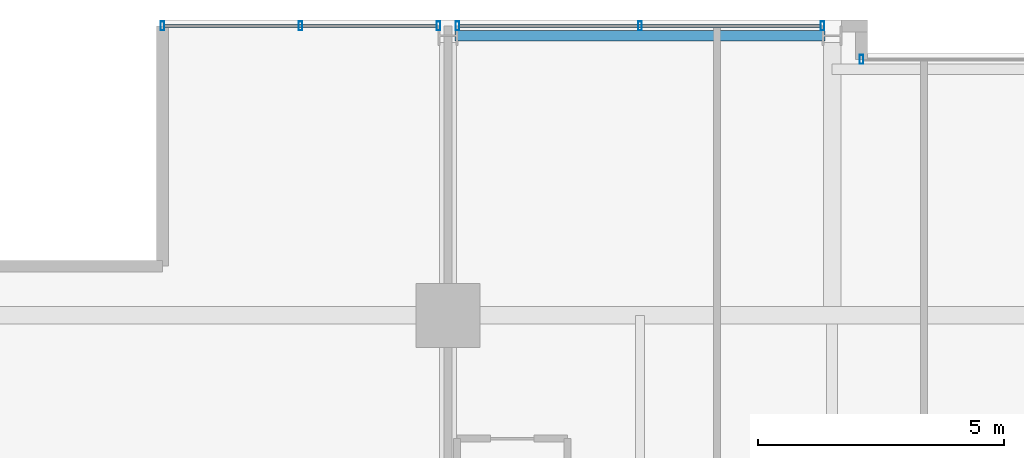
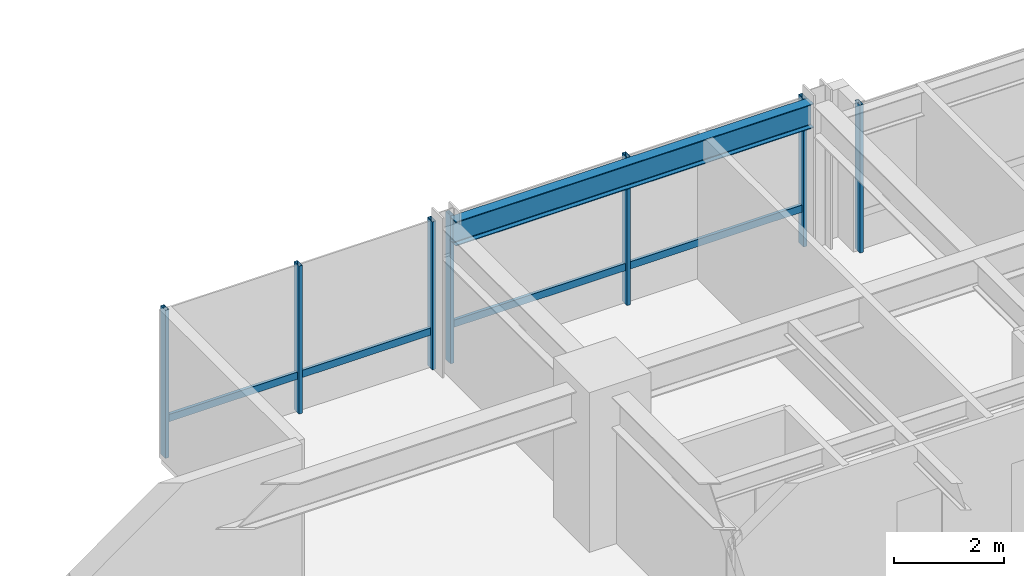
# One storey, part 19 of 32: 9 members, 1 beam, 3 elements without a shape of their own.
"""IFC4 building model written with IfcOpenShell, lengths in metres."""

from ifc_helpers import new_model, si_unit, direction, frame, origin, origin_2d, place, context, subcontext, project, spatial, hollow_rectangle, i_section, extrude, material, layer, layer_set, material_profile, profile_set, type_object, element, aggregate, save


model = new_model("IFC4")

# Units and contexts
model_context = context("Model", 3, precision=1e-05, world=origin(), true_north=direction((0.0, 1.0)))
body_context = subcontext(model_context, "Body", "Model", "MODEL_VIEW")
ifc_project = project(units=[si_unit("LENGTHUNIT", "METRE"), si_unit("AREAUNIT", "SQUARE_METRE"), si_unit("VOLUMEUNIT", "CUBIC_METRE"), si_unit("PLANEANGLEUNIT", "RADIAN"), si_unit("MASSUNIT", "GRAM", prefix="KILO")], contexts=[model_context])

# Site, building, storey
site_placement = place(None, origin())
site = spatial("IfcSite", under=ifc_project, at=site_placement, CompositionType="ELEMENT")
building_placement = place(site_placement, origin())
building = spatial("IfcBuilding", under=site, at=building_placement, Name="Drelvath Grand Hotel", CompositionType="ELEMENT")
storey_placement = place(building_placement, frame((0.0, 0.0, 182.35009765625)))
storey = spatial("IfcBuildingStorey", under=building, at=storey_placement, Name="L47", CompositionType="ELEMENT", Elevation=182.35009765625)

# Curtain wall, member
ifc_material_1 = material(Name="Brushed Pale-Silver Anodised Aluminium Frame", Category="aluminium")
ifc_layer = layer(ifc_material_1, 0.199951171875)
ifc_layer_set = layer_set([ifc_layer], Name="Brushed Pale-Silver Anodised Aluminium Frame")
curtain_wall_type = type_object("IfcCurtainWallType", Name="Stick Curtain Wall CW-04 Brushed Silver Upper-Mid", PredefinedType="NOTDEFINED", material=ifc_layer_set)
curtain_wall_1_placement = place(storey_placement, origin())
curtain_wall_1 = element("IfcCurtainWall", 1, at=curtain_wall_1_placement, inside=storey, type_object=curtain_wall_type, Name="L47 CW-04 Curtain Wall CW04-L47-NW1", PredefinedType="NOTDEFINED")
ifc_material_profile_1 = material_profile(ifc_material_1, hollow_rectangle(XDim=0.06494140625, YDim=0.159912109375, WallThickness=0.00390625, at=origin_2d()), Name="HSS160X65X4")
ifc_profile_set_1 = profile_set([ifc_material_profile_1], Name="Brushed Pale-Silver Anodised Aluminium Frame")
member_type_1 = type_object("IfcMemberType", Name="Curtain Wall Horizontal Transom CW-04 HSS160X65X4", PredefinedType="USERDEFINED", material=ifc_profile_set_1)
member_1_placement = place(storey_placement, frame((-21.9599609375, 49.080078125, 0.822509765625), z_axis=(1.0, 0.0, 0.0), x_axis=(0.0, 1.0, 0.0)))
member_1 = element("IfcMember", 2, at=member_1_placement, type_object=member_type_1, Name="CW04-L47-NW1 Sill Transom", ObjectType="TRANSOM", PredefinedType="USERDEFINED", context=body_context, shape_type="SweptSolid", body=[
    extrude(hollow_rectangle(XDim=0.06494140625, YDim=0.159912109375, WallThickness=0.00390625, at=origin_2d()), origin(), (0.0, 0.0, 1.0), 5.5283203125),
])

curtain_wall_2_placement = place(storey_placement, origin())
curtain_wall_2 = element("IfcCurtainWall", 3, at=curtain_wall_2_placement, inside=storey, type_object=curtain_wall_type, Name="L47 CW-04 Curtain Wall CW04-L47-NW2", PredefinedType="NOTDEFINED")
member_2_placement = place(storey_placement, frame((-15.968505859375, 49.080078125, 0.822509765625), z_axis=(1.0, 0.0, 0.0), x_axis=(0.0, 1.0, 0.0)))
member_2 = element("IfcMember", 4, at=member_2_placement, type_object=member_type_1, Name="CW04-L47-NW2 Sill Transom", ObjectType="TRANSOM", PredefinedType="USERDEFINED", context=body_context, shape_type="SweptSolid", body=[
    extrude(hollow_rectangle(XDim=0.06494140625, YDim=0.159912109375, WallThickness=0.00390625, at=origin_2d()), origin(), (0.0, 0.0, 1.0), 7.3369140625),
])

# Member
ifc_material_profile_2 = material_profile(ifc_material_1, hollow_rectangle(XDim=0.074951171875, YDim=0.179931640625, WallThickness=0.0048828125, at=origin_2d()), Name="HSS180X75X5")
ifc_profile_set_2 = profile_set([ifc_material_profile_2], Name="Brushed Pale-Silver Anodised Aluminium Frame")
member_type_2 = type_object("IfcMemberType", Name="Curtain Wall Vertical Mullion CW-04 HSS180X75X5", PredefinedType="MULLION", material=ifc_profile_set_2)
member_3_placement = place(storey_placement, frame((-22.0, 49.080078125, 0.0), z_axis=(0.0, 0.0, 1.0), x_axis=(1.0, 0.0, 0.0)))
member_3 = element("IfcMember", 5, at=member_3_placement, type_object=member_type_2, Name="CW04-L47-NW1 Mullion 1", PredefinedType="MULLION", context=body_context, shape_type="SweptSolid", body=[
    extrude(hollow_rectangle(XDim=0.074951171875, YDim=0.179931640625, WallThickness=0.0048828125, at=origin_2d()), origin(), (0.0, 0.0, 1.0), 3.289794921875),
])

member_4_placement = place(storey_placement, frame((-19.19580078125, 49.080078125, 0.0), z_axis=(0.0, 0.0, 1.0), x_axis=(1.0, 0.0, 0.0)))
member_4 = element("IfcMember", 6, at=member_4_placement, type_object=member_type_2, Name="CW04-L47-NW1 Mullion 2", PredefinedType="MULLION", context=body_context, shape_type="SweptSolid", body=[
    extrude(hollow_rectangle(XDim=0.074951171875, YDim=0.179931640625, WallThickness=0.0048828125, at=origin_2d()), origin(), (0.0, 0.0, 1.0), 3.289794921875),
])

member_5_placement = place(storey_placement, frame((-16.3916015625, 49.080078125, 0.0), z_axis=(0.0, 0.0, 1.0), x_axis=(1.0, 0.0, 0.0)))
member_5 = element("IfcMember", 7, at=member_5_placement, type_object=member_type_2, Name="CW04-L47-NW1 Mullion 3", PredefinedType="MULLION", context=body_context, shape_type="SweptSolid", body=[
    extrude(hollow_rectangle(XDim=0.074951171875, YDim=0.179931640625, WallThickness=0.0048828125, at=origin_2d()), origin(), (0.0, 0.0, 1.0), 3.289794921875),
])

aggregate(curtain_wall_1, [member_3, member_4, member_5, member_1])

member_6_placement = place(storey_placement, frame((-16.00830078125, 49.080078125, 0.0), z_axis=(0.0, 0.0, 1.0), x_axis=(1.0, 0.0, 0.0)))
member_6 = element("IfcMember", 8, at=member_6_placement, type_object=member_type_2, Name="CW04-L47-NW2 Mullion 1", PredefinedType="MULLION", context=body_context, shape_type="SweptSolid", body=[
    extrude(hollow_rectangle(XDim=0.074951171875, YDim=0.179931640625, WallThickness=0.0048828125, at=origin_2d()), origin(), (0.0, 0.0, 1.0), 3.289794921875),
])

member_7_placement = place(storey_placement, frame((-12.300048828125, 49.080078125, 0.0), z_axis=(0.0, 0.0, 1.0), x_axis=(1.0, 0.0, 0.0)))
member_7 = element("IfcMember", 9, at=member_7_placement, type_object=member_type_2, Name="CW04-L47-NW2 Mullion 2", PredefinedType="MULLION", context=body_context, shape_type="SweptSolid", body=[
    extrude(hollow_rectangle(XDim=0.074951171875, YDim=0.179931640625, WallThickness=0.0048828125, at=origin_2d()), origin(), (0.0, 0.0, 1.0), 3.289794921875),
])

member_8_placement = place(storey_placement, frame((-8.591796875, 49.080078125, 0.0), z_axis=(0.0, 0.0, 1.0), x_axis=(1.0, 0.0, 0.0)))
member_8 = element("IfcMember", 10, at=member_8_placement, type_object=member_type_2, Name="CW04-L47-NW2 Mullion 3", PredefinedType="MULLION", context=body_context, shape_type="SweptSolid", body=[
    extrude(hollow_rectangle(XDim=0.074951171875, YDim=0.179931640625, WallThickness=0.0048828125, at=origin_2d()), origin(), (0.0, 0.0, 1.0), 3.289794921875),
])

aggregate(curtain_wall_2, [member_6, member_7, member_8, member_2])

# Curtain wall, member
curtain_wall_3_placement = place(storey_placement, origin())
curtain_wall_3 = element("IfcCurtainWall", 11, at=curtain_wall_3_placement, inside=storey, type_object=curtain_wall_type, Name="L47 CW-04 Curtain Wall CW04-L47-NM1", PredefinedType="NOTDEFINED")
member_9_placement = place(storey_placement, frame((-7.800048828125, 48.39990234375, 0.0), z_axis=(0.0, 0.0, 1.0), x_axis=(1.0, 0.0, 0.0)))
member_9 = element("IfcMember", 12, at=member_9_placement, type_object=member_type_2, Name="CW04-L47-NM1 Mullion 1", PredefinedType="MULLION", context=body_context, shape_type="SweptSolid", body=[
    extrude(hollow_rectangle(XDim=0.074951171875, YDim=0.179931640625, WallThickness=0.0048828125, at=origin_2d()), origin(), (0.0, 0.0, 1.0), 3.289794921875),
])
aggregate(curtain_wall_3, [member_9])

# Beam
ifc_material_2 = material(Name="Steel ASTM A992 Gr 50", Category="steel")
ifc_material_profile_3 = material_profile(ifc_material_2, i_section(OverallWidth=0.210205078125, OverallDepth=0.53662109375, WebThickness=0.010986328125, FlangeThickness=0.017333984375, FilletRadius=0.01806640625, at=origin_2d()), Name="W21X68")
ifc_profile_set_3 = profile_set([ifc_material_profile_3], Name="Steel ASTM A992 Gr 50")
beam_type = type_object("IfcBeamType", Name="Perimeter Spandrel Beam W21X68", PredefinedType="SPANDREL", material=ifc_profile_set_3)
beam_placement = place(storey_placement, frame((-16.06005859375, 48.8798828125, 3.021484375), z_axis=(1.0, 0.0, 0.0), x_axis=(0.0, 1.0, 0.0)))
element("IfcBeam", 13, at=beam_placement, inside=storey, type_object=beam_type, Name="L47 Spandrel North W", PredefinedType="SPANDREL", context=body_context, shape_type="SweptSolid", body=[
    extrude(i_section(OverallWidth=0.210205078125, OverallDepth=0.53662109375, WebThickness=0.010986328125, FlangeThickness=0.017333984375, FilletRadius=0.01806640625, at=origin_2d()), origin(), (0.0, 0.0, 1.0), 7.52001953125),
])

save(model, "model.ifc")
